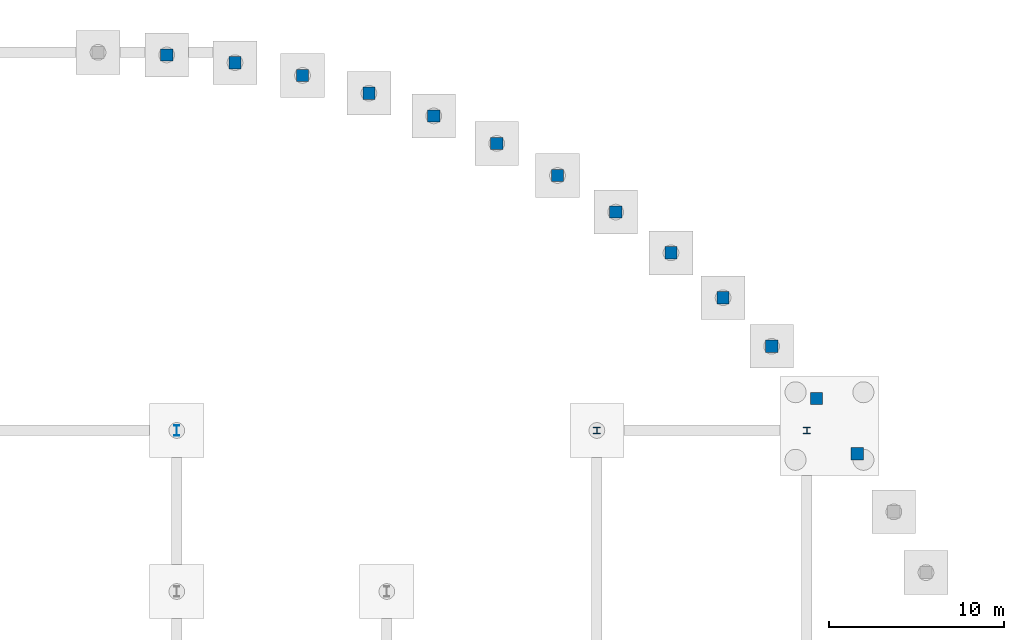
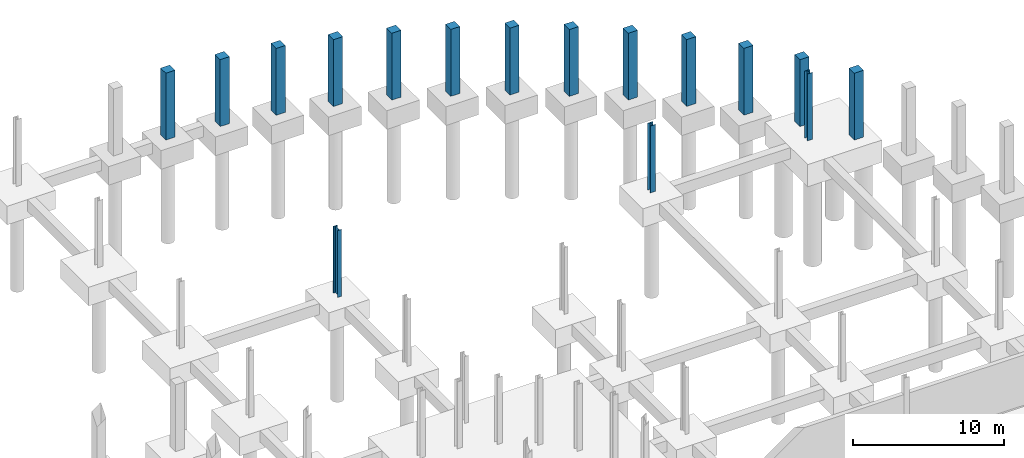
# One storey, part 20 of 36: 16 columns.
"""IFC4 building model written with IfcOpenShell, lengths in metres."""

import ifcopenshell
import ifcopenshell.guid

model = None  # the IFC model being written
_history = None  # IfcOwnerHistory: only IFC2X3 demands one
_inside = {}  # id of a spatial element -> (the spatial element, [elements in it])
_under = {}  # id of a project, library or spatial element -> (it, [spatial elements below it])
_declared = {}  # id of a project -> (the project, [libraries it declares])
_typed = {}  # id of a type object -> (the type object, [elements of that type])
_made_of = {}  # id of a material, layer set ... -> (it, [elements and type objects made of it])


def new_model(schema):
    """Start an empty IFC model of exactly this schema.

    Asked for "IFC4X3", IfcOpenShell would pick the latest addendum, in which some entities
    have other attributes; the version numbers below select the first issue.
    IFC2X3 requires an IfcOwnerHistory on every rooted entity: one is made here for all.
    """
    global model, _history
    if schema == "IFC4X3":
        model = ifcopenshell.file(schema_version=(4, 3, 0, 0))
    else:
        model = ifcopenshell.file(schema=schema)
    _inside.clear()
    _under.clear()
    _declared.clear()
    _typed.clear()
    _made_of.clear()
    _history = None
    if model.schema == "IFC2X3":
        org = make("IfcOrganization", Name="unknown")
        user = make(
            "IfcPersonAndOrganization",
            ThePerson=make("IfcPerson", FamilyName="unknown"),
            TheOrganization=org,
        )
        app = make(
            "IfcApplication",
            ApplicationDeveloper=org,
            Version="unknown",
            ApplicationFullName="unknown",
            ApplicationIdentifier="unknown",
        )
        _history = make(
            "IfcOwnerHistory",
            OwningUser=user,
            OwningApplication=app,
            ChangeAction="ADDED",
            CreationDate=0,
        )
    return model


def make(cls, **values):
    """One entity of the class cls with the attributes given. An attribute that is None is left unset."""
    return model.create_entity(
        cls, **{name: value for name, value in values.items() if value is not None}
    )


def rooted(cls, **values):
    """An entity with a GlobalId (a new one), such as an element, a storey or a relation."""
    return make(cls, GlobalId=ifcopenshell.guid.new(), OwnerHistory=_history, **values)


def si_unit(unit_type, name, prefix=None):
    """IfcSIUnit, for example si_unit("LENGTHUNIT", "METRE", prefix="MILLI")."""
    return make("IfcSIUnit", UnitType=unit_type, Prefix=prefix, Name=name)


def assignment(units):
    """IfcUnitAssignment: the units of a project."""
    return None if units is None else make("IfcUnitAssignment", Units=units)


def point(xyz):
    """IfcCartesianPoint."""
    return None if xyz is None else make("IfcCartesianPoint", Coordinates=xyz)


def direction(xyz):
    """IfcDirection."""
    return None if xyz is None else make("IfcDirection", DirectionRatios=xyz)


def frame(location, z_axis=None, x_axis=None):
    """IfcAxis2Placement3D, a coordinate frame: its origin and axes. An axis left out is left unset."""
    return make(
        "IfcAxis2Placement3D",
        Location=point(location),
        Axis=direction(z_axis),
        RefDirection=direction(x_axis),
    )


def frame_2d(location, x_axis=None):
    """IfcAxis2Placement2D, a coordinate frame in the plane: its origin and x axis."""
    return make(
        "IfcAxis2Placement2D", Location=point(location), RefDirection=direction(x_axis)
    )


def origin():
    """The frame at (0, 0, 0) with its axes left unset."""
    return frame((0.0, 0.0, 0.0))


def origin_2d():
    """The frame at (0, 0) in the plane with its x axis left unset."""
    return frame_2d((0.0, 0.0))


def place(relative_to, where):
    """IfcLocalPlacement: puts the frame where relative to a parent placement (None: the world)."""
    return make(
        "IfcLocalPlacement", PlacementRelTo=relative_to, RelativePlacement=where
    )


def context(
    kind, dimensions, precision=None, world=None, true_north=None, identifier=None
):
    """IfcGeometricRepresentationContext, for example the 3D "Model" context."""
    return make(
        "IfcGeometricRepresentationContext",
        ContextIdentifier=identifier,
        ContextType=kind,
        CoordinateSpaceDimension=dimensions,
        Precision=precision,
        WorldCoordinateSystem=world,
        TrueNorth=true_north,
    )


def subcontext(parent, identifier, kind, view, scale=None):
    """IfcGeometricRepresentationSubContext, for example "Body" below "Model"."""
    return make(
        "IfcGeometricRepresentationSubContext",
        ContextIdentifier=identifier,
        ContextType=kind,
        ParentContext=parent,
        TargetScale=scale,
        TargetView=view,
    )


def project(units=None, contexts=None):
    """IfcProject with its units and contexts."""
    return rooted(
        "IfcProject",
        Name="project",
        RepresentationContexts=contexts,
        UnitsInContext=assignment(units),
    )


def spatial(cls, under=None, at=None, **own):
    """A site, building, storey or space (cls), placed at a placement, below another one or the project."""
    s = rooted(cls, ObjectPlacement=at, **own)
    if under is not None:
        _under.setdefault(under.id(), (under, []))[1].append(s)
    return s


def profile(cls, at=None, kind="AREA", **sizes):
    """A parametric profile (cls). Its sizes go by their IFC names, for example OverallWidth=200.0."""
    return make(cls, ProfileType=kind, Position=at, **sizes)


def rectangle(**sizes):
    """IfcRectangleProfileDef."""
    return profile("IfcRectangleProfileDef", **sizes)


def i_section(**sizes):
    """IfcIShapeProfileDef."""
    return profile("IfcIShapeProfileDef", **sizes)


def extrude(swept, where, along, depth):
    """IfcExtrudedAreaSolid: the profile swept, set in the frame where, extruded along a direction by depth."""
    return make(
        "IfcExtrudedAreaSolid",
        SweptArea=swept,
        Position=where,
        ExtrudedDirection=direction(along),
        Depth=depth,
    )


def shape(context_of_items, identifier, shape_type, items):
    """IfcShapeRepresentation: the items that make up one representation, for example the "Body"."""
    return make(
        "IfcShapeRepresentation",
        ContextOfItems=context_of_items,
        RepresentationIdentifier=identifier,
        RepresentationType=shape_type,
        Items=items,
    )


def material(Name=None, Category=None):
    """IfcMaterial."""
    return make("IfcMaterial", Name=Name, Category=Category)


def material_profile(
    of_material, cross_section, Name=None, Category=None, Priority=None
):
    """IfcMaterialProfile: a cross section and its material."""
    return make(
        "IfcMaterialProfile",
        Name=Name,
        Material=of_material,
        Profile=cross_section,
        Priority=Priority,
        Category=Category,
    )


def profile_set(profiles, Name=None, composite=None):
    """IfcMaterialProfileSet."""
    return make(
        "IfcMaterialProfileSet",
        Name=Name,
        MaterialProfiles=profiles,
        CompositeProfile=composite,
    )


def made_of(thing, what):
    """Note that an element or type object is made of a material, layer set ...; save() writes the relation."""
    if what is not None:
        _made_of.setdefault(what.id(), (what, []))[1].append(thing)
    return thing


def type_object(cls, material=None, **own):
    """A type object (cls), such as IfcWallType, which elements share."""
    return made_of(rooted(cls, **own), material)


def element(
    cls,
    number,
    at=None,
    inside=None,
    cuts=None,
    type_object=None,
    material=None,
    context=None,
    identifier="Body",
    shape_type=None,
    held_by="IfcProductDefinitionShape",
    body=None,
    shapes=None,
    **own,
):
    """One element of the class cls, such as IfcWall. Its Tag is "e" and its number.

    at: its placement. inside: the storey or other place that contains it. cuts: it is an
    opening in that element (IfcRelVoidsElement). A single representation is given by context,
    identifier, shape_type and body (its items); several are given by shapes. held_by: the class
    of the entity that holds the representations. save() writes the other relations.
    """
    e = rooted(cls, Tag="e%d" % number, ObjectPlacement=at, **own)
    if body is not None:
        shapes = [shape(context, identifier, shape_type, body)]
    if shapes is not None:
        e.Representation = make(held_by, Representations=shapes)
    if inside is not None:
        _inside.setdefault(inside.id(), (inside, []))[1].append(e)
    if cuts is not None:
        rooted(
            "IfcRelVoidsElement", RelatingBuildingElement=cuts, RelatedOpeningElement=e
        )
    if type_object is not None:
        _typed.setdefault(type_object.id(), (type_object, []))[1].append(e)
    return made_of(e, material)


def aggregate(whole, parts):
    """IfcRelAggregates: a whole, such as a stair, and the parts it consists of."""
    return rooted("IfcRelAggregates", RelatingObject=whole, RelatedObjects=parts)


def save(model, path):
    """Write the relations noted so far, then the file.

    IfcRelAggregates (storeys below a building ...), IfcRelContainedInSpatialStructure (elements
    in a storey), IfcRelDefinesByType, IfcRelAssociatesMaterial and IfcRelDeclares: one each for
    every whole, place, type object, material and project.
    """
    for whole, parts in _under.values():
        aggregate(whole, parts)
    for where, things in _inside.values():
        rooted(
            "IfcRelContainedInSpatialStructure",
            RelatedElements=things,
            RelatingStructure=where,
        )
    for kind, things in _typed.values():
        rooted("IfcRelDefinesByType", RelatedObjects=things, RelatingType=kind)
    for what, things in _made_of.values():
        rooted("IfcRelAssociatesMaterial", RelatedObjects=things, RelatingMaterial=what)
    for by, libraries in _declared.values():
        rooted("IfcRelDeclares", RelatingContext=by, RelatedDefinitions=libraries)
    model.write(path)


model = new_model("IFC4")

# Units and contexts
model_context = context("Model", 3, precision=1e-05, world=origin(), true_north=direction((0.0, 1.0)))
body_context = subcontext(model_context, "Body", "Model", "MODEL_VIEW")
ifc_project = project(units=[si_unit("LENGTHUNIT", "METRE"), si_unit("AREAUNIT", "SQUARE_METRE"), si_unit("VOLUMEUNIT", "CUBIC_METRE"), si_unit("PLANEANGLEUNIT", "RADIAN"), si_unit("MASSUNIT", "GRAM", prefix="KILO"), si_unit("THERMODYNAMICTEMPERATUREUNIT", "KELVIN"), si_unit("POWERUNIT", "WATT")], contexts=[model_context])

# Site, building, storey
site_placement = place(None, origin())
site = spatial("IfcSite", under=ifc_project, at=site_placement, CompositionType="ELEMENT")
building_placement = place(site_placement, origin())
building = spatial("IfcBuilding", under=site, at=building_placement, Name="Tembeka Court Mobility Hub", CompositionType="ELEMENT")
storey_placement = place(building_placement, frame((0.0, 0.0, -5.39990234375)))
storey = spatial("IfcBuildingStorey", under=building, at=storey_placement, Name="B1", CompositionType="ELEMENT", Elevation=-5.39990234375)

# Columns
ifc_material_1 = material(Name="Steel S355", Category="steel")
ifc_material_profile_1 = material_profile(ifc_material_1, i_section(OverallWidth=0.39892578125, OverallDepth=0.39404296875, WebThickness=0.022705078125, FlangeThickness=0.03662109375, FilletRadius=0.01513671875, at=origin_2d()), Name="UKC 356x406x287")
ifc_profile_set_1 = profile_set([ifc_material_profile_1], Name="Steel S355")
column_type_1 = type_object("IfcColumnType", Name="COL-C01", PredefinedType="COLUMN", material=ifc_profile_set_1)
for number, where, z_axis, x_axis, name in (
    (1, (152.39990234375, 97.199951171875, 0.0), (0.0, 0.0, 1.0), (1.0, 0.0, 0.0), "Column C01 (B1-215)"),
    (2, (164.39990234375, 97.199951171875, 0.0), (0.0, 0.0, 1.0), (1.0, 0.0, 0.0), "Column C01 (B1-229)"),
):
    element("IfcColumn", number, at=place(storey_placement, frame(where, z_axis=z_axis, x_axis=x_axis)), inside=storey, type_object=column_type_1, Name=name, PredefinedType="COLUMN", context=body_context, shape_type="SweptSolid", body=[
        extrude(i_section(OverallWidth=0.39892578125, OverallDepth=0.39404296875, WebThickness=0.022705078125, FlangeThickness=0.03662109375, FilletRadius=0.01513671875, at=origin_2d()), origin(), (0.0, 0.0, 1.0), 5.39990234375),
    ])
ifc_material_profile_2 = material_profile(ifc_material_1, i_section(OverallWidth=0.300048828125, OverallDepth=0.60009765625, WebThickness=0.015380859375, FlangeThickness=0.030029296875, FilletRadius=0.027099609375, at=origin_2d()), Name="HEB 600")
ifc_profile_set_2 = profile_set([ifc_material_profile_2], Name="Steel S355")
column_type_2 = type_object("IfcColumnType", Name="COL-C06", PredefinedType="COLUMN", material=ifc_profile_set_2)
column_placement = place(storey_placement, frame((128.39990234375, 97.199951171875, 0.0), z_axis=(0.0, 0.0, 1.0), x_axis=(1.0, 0.0, 0.0)))
element("IfcColumn", 3, at=column_placement, inside=storey, type_object=column_type_2, Name="Column C06 (B1-183)", PredefinedType="COLUMN", context=body_context, shape_type="SweptSolid", body=[
    extrude(i_section(OverallWidth=0.300048828125, OverallDepth=0.60009765625, WebThickness=0.015380859375, FlangeThickness=0.030029296875, FilletRadius=0.027099609375, at=origin_2d()), origin(), (0.0, 0.0, 1.0), 5.39990234375),
])
ifc_material_2 = material(Name="Concrete C40/50", Category="concrete")
ifc_material_profile_3 = material_profile(ifc_material_2, rectangle(XDim=0.699951171875, YDim=0.699951171875, at=origin_2d()), Name="RC-COL 700x700")
ifc_profile_set_3 = profile_set([ifc_material_profile_3], Name="Concrete C40/50")
column_type_3 = type_object("IfcColumnType", Name="COL-RC01", PredefinedType="COLUMN", material=ifc_profile_set_3)
for number, where, z_axis, x_axis, name in (
    (4, (127.8232421875, 118.6533203125, 0.0), (0.0, 0.0, 1.0), (1.0, 0.0, 0.0), "Column RC01 (B1-172)"),
    (5, (131.724609375, 118.213623046875, 0.0), (0.0, 0.0, 1.0), (1.0, 0.0, 0.0), "Column RC01 (B1-186)"),
    (6, (135.582275390625, 117.483642578125, 0.0), (0.0, 0.0, 1.0), (1.0, 0.0, 0.0), "Column RC01 (B1-189)"),
    (7, (139.37451171875, 116.467529296875, 0.0), (0.0, 0.0, 1.0), (1.0, 0.0, 0.0), "Column RC01 (B1-192)"),
    (8, (143.080322265625, 115.1708984375, 0.0), (0.0, 0.0, 1.0), (1.0, 0.0, 0.0), "Column RC01 (B1-203)"),
    (9, (146.678955078125, 113.600830078125, 0.0), (0.0, 0.0, 1.0), (1.0, 0.0, 0.0), "Column RC01 (B1-204)"),
    (10, (150.14990234375, 111.766357421875, 0.0), (0.0, 0.0, 1.0), (1.0, 0.0, 0.0), "Column RC01 (B1-205)"),
    (11, (153.474365234375, 109.677490234375, 0.0), (0.0, 0.0, 1.0), (1.0, 0.0, 0.0), "Column RC01 (B1-216)"),
    (12, (156.63330078125, 107.34619140625, 0.0), (0.0, 0.0, 1.0), (1.0, 0.0, 0.0), "Column RC01 (B1-217)"),
    (13, (159.609130859375, 104.78515625, 0.0), (0.0, 0.0, 1.0), (1.0, 0.0, 0.0), "Column RC01 (B1-218)"),
    (14, (162.38525390625, 102.009033203125, 0.0), (0.0, 0.0, 1.0), (1.0, 0.0, 0.0), "Column RC01 (B1-219)"),
    (15, (164.9462890625, 99.033203125, 0.0), (0.0, 0.0, 1.0), (1.0, 0.0, 0.0), "Column RC01 (B1-230)"),
    (16, (167.277587890625, 95.874267578125, 0.0), (0.0, 0.0, 1.0), (1.0, 0.0, 0.0), "Column RC01 (B1-231)"),
):
    element("IfcColumn", number, at=place(storey_placement, frame(where, z_axis=z_axis, x_axis=x_axis)), inside=storey, type_object=column_type_3, Name=name, PredefinedType="COLUMN", context=body_context, shape_type="SweptSolid", body=[
        extrude(rectangle(XDim=0.699951171875, YDim=0.699951171875, at=origin_2d()), origin(), (0.0, 0.0, 1.0), 5.39990234375),
    ])

save(model, "model.ifc")
